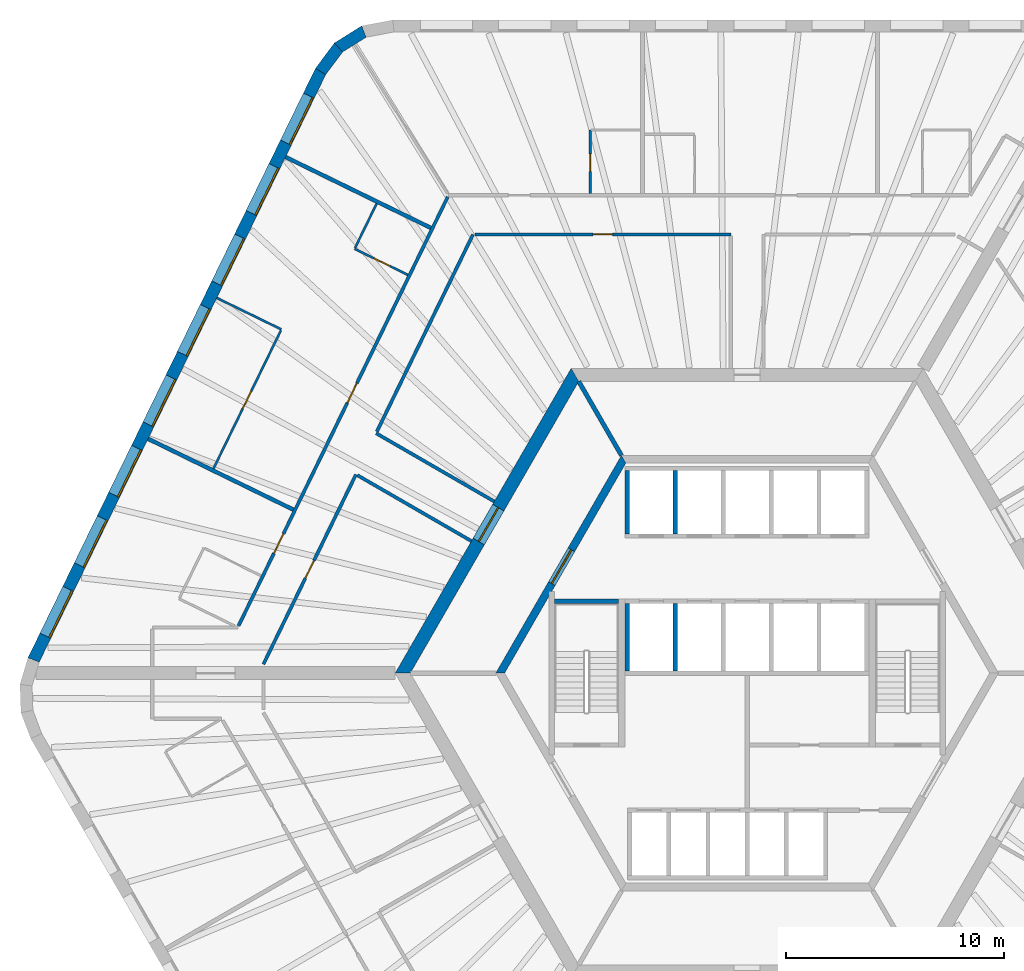
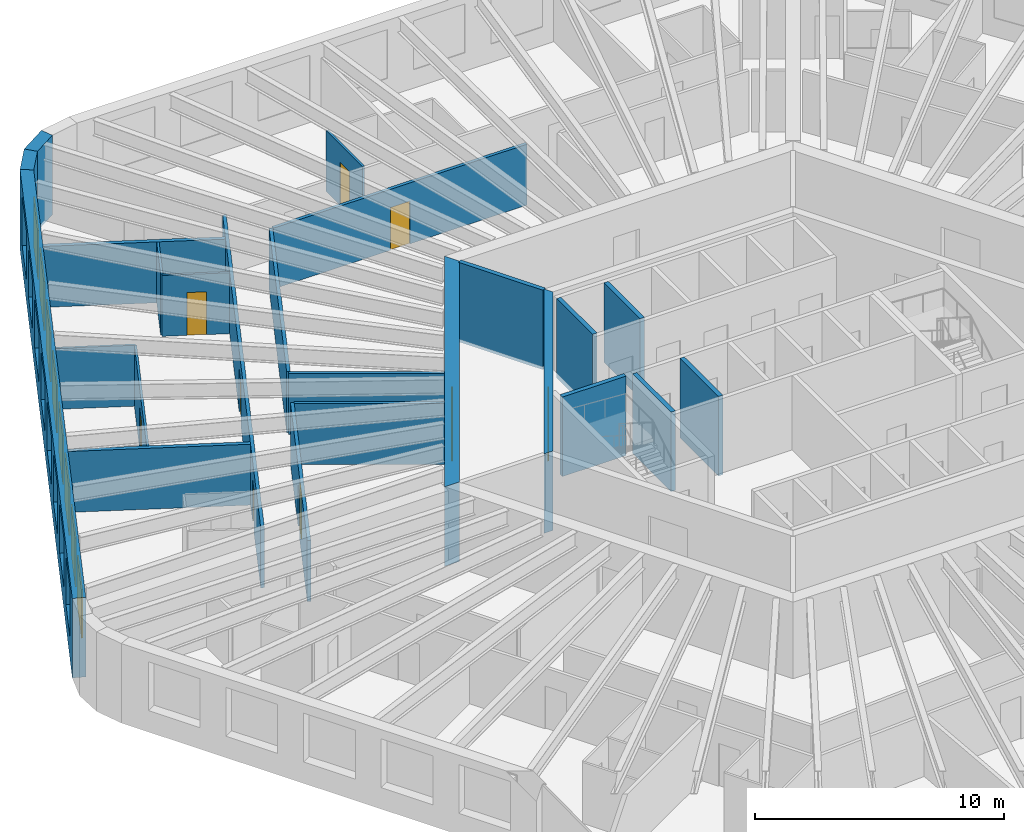
# One storey, part 7 of 11: 24 walls, 9 doors, 8 windows, 17 openings.
"""IFC4 building model written with IfcOpenShell, lengths in metres."""

from ifc_helpers import new_model, si_unit, direction, frame, frame_2d, origin, place, context, subcontext, project, spatial, polyline, rectangle, outline, extrude, material, layer, layer_set, type_object, element, fill, save


model = new_model("IFC4")

# Units and contexts
model_context = context("Model", 3, precision=1e-05, world=origin(), true_north=direction((0.0, 1.0)))
body_context = subcontext(model_context, "Body", "Model", "MODEL_VIEW")
ifc_project = project(units=[si_unit("LENGTHUNIT", "METRE"), si_unit("AREAUNIT", "SQUARE_METRE"), si_unit("VOLUMEUNIT", "CUBIC_METRE"), si_unit("PLANEANGLEUNIT", "RADIAN"), si_unit("MASSUNIT", "GRAM", prefix="KILO")], contexts=[model_context])

# Site, building, storey
site_placement = place(None, origin())
site = spatial("IfcSite", under=ifc_project, at=site_placement, CompositionType="ELEMENT")
building_placement = place(site_placement, origin())
building = spatial("IfcBuilding", under=site, at=building_placement, Name="Tarnside Tower", CompositionType="ELEMENT")
storey_placement = place(building_placement, frame((0.0, 0.0, 45.300048828125)))
storey = spatial("IfcBuildingStorey", under=building, at=storey_placement, Name="L08", CompositionType="ELEMENT", Elevation=45.300048828125)

# Wall, opening, door
ifc_material_1 = material(Name="Gypsum board partition on steel studs", Category="steel")
ifc_layer_1 = layer(ifc_material_1, 0.10009765625)
ifc_layer_set_1 = layer_set([ifc_layer_1], Name="Bathroom wall 100")
wall_type_1 = type_object("IfcWallType", Name="Bathroom wall 100", PredefinedType="PARTITIONING", material=ifc_layer_set_1)
wall_1_placement = place(storey_placement, frame((-7.2109375, 22.02490234375, 0.0), z_axis=(0.0, 0.0, 1.0), x_axis=(0.0, 1.0, 0.0)))
wall_1 = element("IfcWall", 1, at=wall_1_placement, inside=storey, type_object=wall_type_1, Name="Bathroom wall 01086", PredefinedType="PARTITIONING", context=body_context, shape_type="SweptSolid", body=[
    extrude(rectangle(XDim=2.925048828125, YDim=0.10009765625, at=frame_2d((1.46240234375, 0.0))), origin(), (0.0, 0.0, 1.0), 2.98779296875),
])
opening_1_placement = place(wall_1_placement, frame((1.02490234375, 0.0, 0.0)))
opening_1 = element("IfcOpeningElement", 2, at=opening_1_placement, cuts=wall_1, Name="Opening D-B1", PredefinedType="OPENING", context=body_context, shape_type="SweptSolid", body=[
    extrude(rectangle(XDim=0.800048828125, YDim=2.10009765625, at=frame_2d((0.39990234375, 1.050048828125))), frame((0.0, 0.06005859375, 0.0), z_axis=(0.0, -1.0, 0.0), x_axis=(1.0, 0.0, 0.0)), (0.0, 0.0, 1.0), 0.1201171875),
])
ifc_material_2 = material(Name="Timber door leaf", Category="wood")
door_type_1 = type_object("IfcDoorType", Name="Bathroom door 800", OperationType="NOTDEFINED", PredefinedType="DOOR", material=ifc_material_2)
door_1_placement = place(opening_1_placement, origin())
door_1 = element("IfcDoor", 3, at=door_1_placement, inside=storey, type_object=door_type_1, Name="Bathroom door 01006", OperationType="SINGLE_SWING_RIGHT", OverallHeight=2.10009765625, OverallWidth=0.800048828125, PredefinedType="DOOR", context=body_context, shape_type="SweptSolid", body=[
    extrude(rectangle(XDim=0.800048828125, YDim=2.10009765625, at=frame_2d((0.39990234375, 1.050048828125))), frame((0.0, 0.02490234375, 0.0), z_axis=(0.0, -1.0, 0.0), x_axis=(1.0, 0.0, 0.0)), (0.0, 0.0, 1.0), 0.050048828125),
])
fill(opening_1, door_1)

wall_2_placement = place(storey_placement, frame((-15.582763671875, 18.29345703125, 0.0), z_axis=(0.0, 0.0, 1.0), x_axis=(-0.898791692788, 0.43837597217, 0.0)))
wall_2 = element("IfcWall", 4, at=wall_2_placement, inside=storey, type_object=wall_type_1, Name="Bathroom wall 01091", PredefinedType="PARTITIONING", context=body_context, shape_type="SweptSolid", body=[
    extrude(rectangle(XDim=2.72509765625, YDim=0.10009765625, at=frame_2d((1.362548828125, 0.0))), origin(), (0.0, 0.0, 1.0), 2.98779296875),
])
opening_2_placement = place(wall_2_placement, frame((0.925048828125, 0.0, 0.0)))
opening_2 = element("IfcOpeningElement", 5, at=opening_2_placement, cuts=wall_2, Name="Opening D-B1", PredefinedType="OPENING", context=body_context, shape_type="SweptSolid", body=[
    extrude(rectangle(XDim=0.800048828125, YDim=2.10009765625, at=frame_2d((0.39990234375, 1.050048828125))), frame((0.0, 0.06005859375, 0.0), z_axis=(0.0, -1.0, 0.0), x_axis=(1.0, 0.0, 0.0)), (0.0, 0.0, 1.0), 0.1201171875),
])
door_2_placement = place(opening_2_placement, origin())
door_2 = element("IfcDoor", 6, at=door_2_placement, inside=storey, type_object=door_type_1, Name="Bathroom door 01009", OperationType="SINGLE_SWING_RIGHT", OverallHeight=2.10009765625, OverallWidth=0.800048828125, PredefinedType="DOOR", context=body_context, shape_type="SweptSolid", body=[
    extrude(rectangle(XDim=0.800048828125, YDim=2.10009765625, at=frame_2d((0.39990234375, 1.050048828125))), frame((0.0, 0.02490234375, 0.0), z_axis=(0.0, -1.0, 0.0), x_axis=(1.0, 0.0, 0.0)), (0.0, 0.0, 1.0), 0.050048828125),
])
fill(opening_2, door_2)

# Wall
wall_3_placement = place(storey_placement, frame((-18.010009765625, 19.532958984375, 0.0), z_axis=(0.0, 0.0, 1.0), x_axis=(0.438376807268, 0.898791285477, 0.0)))
element("IfcWall", 7, at=wall_3_placement, inside=storey, type_object=wall_type_1, Name="Bathroom wall 01092", PredefinedType="PARTITIONING", context=body_context, shape_type="SweptSolid", body=[
    extrude(rectangle(XDim=2.260009765625, YDim=0.10009765625, at=frame_2d((1.1298828125, 0.0))), origin(), (0.0, 0.0, 1.0), 2.98779296875),
])

# Wall, opening, door
ifc_material_3 = material(Name="Concrete C50/60", Category="concrete")
ifc_layer_2 = layer(ifc_material_3, 0.35009765625)
ifc_layer_set_2 = layer_set([ifc_layer_2], Name="Core block wall 350 C50/60")
wall_type_2 = type_object("IfcWallType", Name="Core block wall 350 C50/60", PredefinedType="SHEAR", material=ifc_layer_set_2)
wall_4_placement = place(storey_placement, frame((-5.672607421875, 9.824951171875, -0.150146484375), z_axis=(0.0, 0.0, 1.0), x_axis=(-0.499995046907, -0.866028263435, 0.0)))
wall_4 = element("IfcWall", 8, at=wall_4_placement, inside=storey, type_object=wall_type_2, Name="L08 core block wall face 2", PredefinedType="SHEAR", context=body_context, shape_type="SweptSolid", body=[
    extrude(outline(polyline([(-0.10107421875, -0.175048828125), (11.44580078125, -0.175048828125), (11.24365234375, 0.175048828125), (0.10107421875, 0.175048828125), (-0.10107421875, -0.175048828125)])), origin(), (0.0, 0.0, 1.0), 3.900146484375),
])
opening_3_placement = place(wall_4_placement, frame((4.80126953125, 0.0, 0.14990234375)))
opening_3 = element("IfcOpeningElement", 9, at=opening_3_placement, cuts=wall_4, Name="Opening CD-LOB", PredefinedType="OPENING", context=body_context, shape_type="SweptSolid", body=[
    extrude(rectangle(XDim=1.800048828125, YDim=2.39990234375, at=frame_2d((0.89990234375, 1.199951171875))), frame((0.0, 0.18505859375, 0.0), z_axis=(0.0, -1.0, 0.0), x_axis=(1.0, 0.0, 0.0)), (0.0, 0.0, 1.0), 0.3701171875),
])
ifc_material_4 = material(Name="Steel fire door", Category="steel")
door_type_2 = type_object("IfcDoorType", Name="Lobby double door FD30S 1800x2400", OperationType="NOTDEFINED", PredefinedType="DOOR", material=ifc_material_4)
door_3_placement = place(opening_3_placement, origin())
door_3 = element("IfcDoor", 10, at=door_3_placement, inside=storey, type_object=door_type_2, Name="L08 lobby block door P1", OperationType="DOUBLE_DOOR_SINGLE_SWING", OverallHeight=2.39990234375, OverallWidth=1.800048828125, PredefinedType="DOOR", context=body_context, shape_type="SweptSolid", body=[
    extrude(rectangle(XDim=1.800048828125, YDim=2.39990234375, at=frame_2d((0.89990234375, 1.199951171875))), frame((0.0, 0.02490234375, 0.0), z_axis=(0.0, -1.0, 0.0), x_axis=(1.0, 0.0, 0.0)), (0.0, 0.0, 1.0), 0.050048828125),
])
fill(opening_3, door_3)

ifc_material_5 = material(Name="Concrete C80/95", Category="concrete")
ifc_layer_3 = layer(ifc_material_5, 0.60009765625)
ifc_layer_set_3 = layer_set([ifc_layer_3], Name="Core wall Z1 600 C80/95")
wall_type_3 = type_object("IfcWallType", Name="Core wall Z1 600 C80/95", PredefinedType="SHEAR", material=ifc_layer_set_3)
wall_5_placement = place(storey_placement, frame((-7.90966796875, 13.699951171875, -0.150146484375), z_axis=(0.0, 0.0, 1.0), x_axis=(-0.499999880136, -0.866025472988, 0.0)))
wall_5 = element("IfcWall", 11, at=wall_5_placement, inside=storey, type_object=wall_type_3, Name="L08 core wall face 2", PredefinedType="SHEAR", context=body_context, shape_type="SweptSolid", body=[
    extrude(outline(polyline([(-0.17333984375, -0.300048828125), (15.99267578125, -0.300048828125), (15.64599609375, 0.300048828125), (0.17333984375, 0.300048828125), (-0.17333984375, -0.300048828125)])), origin(), (0.0, 0.0, 1.0), 3.900146484375),
])
opening_4_placement = place(wall_5_placement, frame((7.03857421875, 0.0, 0.14990234375)))
opening_4 = element("IfcOpeningElement", 12, at=opening_4_placement, cuts=wall_5, Name="Opening CD-LOB", PredefinedType="OPENING", context=body_context, shape_type="SweptSolid", body=[
    extrude(rectangle(XDim=1.800048828125, YDim=2.39990234375, at=frame_2d((0.89990234375, 1.199951171875))), frame((0.0, 0.31005859375, 0.0), z_axis=(0.0, -1.0, 0.0), x_axis=(1.0, 0.0, 0.0)), (0.0, 0.0, 1.0), 0.6201171875),
])
door_4_placement = place(opening_4_placement, origin())
door_4 = element("IfcDoor", 13, at=door_4_placement, inside=storey, type_object=door_type_2, Name="L08 core door P1", OperationType="DOUBLE_DOOR_SINGLE_SWING", OverallHeight=2.39990234375, OverallWidth=1.800048828125, PredefinedType="DOOR", context=body_context, shape_type="SweptSolid", body=[
    extrude(rectangle(XDim=1.800048828125, YDim=2.39990234375, at=frame_2d((0.89990234375, 1.199951171875))), frame((0.0, 0.02490234375, 0.0), z_axis=(0.0, -1.0, 0.0), x_axis=(1.0, 0.0, 0.0)), (0.0, 0.0, 1.0), 0.050048828125),
])
fill(opening_4, door_4)

# Wall, openings, doors
ifc_layer_4 = layer(ifc_material_1, 0.14990234375)
ifc_layer_set_4 = layer_set([ifc_layer_4], Name="Corridor wall 150 EI 60")
wall_type_4 = type_object("IfcWallType", Name="Corridor wall 150 EI 60", PredefinedType="PARTITIONING", material=ifc_layer_set_4)
wall_6_placement = place(storey_placement, frame((-13.75244140625, 21.875, 0.0), z_axis=(0.0, 0.0, 1.0), x_axis=(-0.438374473378, -0.898792423806, 0.0)))
wall_6 = element("IfcWall", 14, at=wall_6_placement, inside=storey, type_object=wall_type_4, Name="Corridor wall 01009", PredefinedType="PARTITIONING", context=body_context, shape_type="SweptSolid", body=[
    extrude(rectangle(XDim=21.918212890625, YDim=0.14990234375, at=frame_2d((10.958984375, 0.0))), origin(), (0.0, 0.0, 1.0), 2.98779296875),
])
opening_5_placement = place(wall_6_placement, frame((9.521240234375, 0.0, 0.0)))
opening_5 = element("IfcOpeningElement", 15, at=opening_5_placement, cuts=wall_6, Name="Opening D-E1", PredefinedType="OPENING", context=body_context, shape_type="SweptSolid", body=[
    extrude(rectangle(XDim=1.0, YDim=2.10009765625, at=frame_2d((0.5, 1.050048828125))), frame((0.0, 0.0849609375, 0.0), z_axis=(0.0, -1.0, 0.0), x_axis=(1.0, 0.0, 0.0)), (0.0, 0.0, 1.0), 0.169921875),
])
opening_6_placement = place(wall_6_placement, frame((17.21142578125, 0.0, 0.0)))
opening_6 = element("IfcOpeningElement", 16, at=opening_6_placement, cuts=wall_6, Name="Opening D-E1", PredefinedType="OPENING", context=body_context, shape_type="SweptSolid", body=[
    extrude(rectangle(XDim=1.0, YDim=2.10009765625, at=frame_2d((0.5, 1.050048828125))), frame((0.0, 0.0849609375, 0.0), z_axis=(0.0, -1.0, 0.0), x_axis=(1.0, 0.0, 0.0)), (0.0, 0.0, 1.0), 0.169921875),
])
door_type_3 = type_object("IfcDoorType", Name="Unit entrance door 1000 FD30S", OperationType="NOTDEFINED", PredefinedType="DOOR", material=ifc_material_2)
door_5_placement = place(opening_5_placement, origin())
door_5 = element("IfcDoor", 17, at=door_5_placement, inside=storey, type_object=door_type_3, Name="Unit door 01008", OperationType="SINGLE_SWING_LEFT", OverallHeight=2.10009765625, OverallWidth=1.0, PredefinedType="DOOR", context=body_context, shape_type="SweptSolid", body=[
    extrude(rectangle(XDim=1.0, YDim=2.10009765625, at=frame_2d((0.5, 1.050048828125))), frame((0.0, 0.02490234375, 0.0), z_axis=(0.0, -1.0, 0.0), x_axis=(1.0, 0.0, 0.0)), (0.0, 0.0, 1.0), 0.050048828125),
])
fill(opening_5, door_5)
door_6_placement = place(opening_6_placement, origin())
door_6 = element("IfcDoor", 18, at=door_6_placement, inside=storey, type_object=door_type_3, Name="Unit door 01011", OperationType="SINGLE_SWING_LEFT", OverallHeight=2.10009765625, OverallWidth=1.0, PredefinedType="DOOR", context=body_context, shape_type="SweptSolid", body=[
    extrude(rectangle(XDim=1.0, YDim=2.10009765625, at=frame_2d((0.5, 1.050048828125))), frame((0.0, 0.02490234375, 0.0), z_axis=(0.0, -1.0, 0.0), x_axis=(1.0, 0.0, 0.0)), (0.0, 0.0, 1.0), 0.050048828125),
])
fill(opening_6, door_6)

# Walls
wall_7_placement = place(storey_placement, frame((-11.61376953125, 7.88427734375, 0.0), z_axis=(0.0, 0.0, 1.0), x_axis=(-0.866025438137, 0.4999999405, 0.0)))
element("IfcWall", 19, at=wall_7_placement, inside=storey, type_object=wall_type_4, Name="Corridor wall 01016", PredefinedType="PARTITIONING", context=body_context, shape_type="SweptSolid", body=[
    extrude(rectangle(XDim=6.2705078125, YDim=0.14990234375, at=frame_2d((3.13525390625, 0.0))), origin(), (0.0, 0.0, 1.0), 2.98779296875),
])
wall_8_placement = place(storey_placement, frame((-17.01123046875, 11.087158203125, 0.0), z_axis=(0.0, 0.0, 1.0), x_axis=(0.43836877185, 0.898795204631, 0.0)))
element("IfcWall", 20, at=wall_8_placement, inside=storey, type_object=wall_type_4, Name="Corridor wall 01017", PredefinedType="PARTITIONING", context=body_context, shape_type="SweptSolid", body=[
    extrude(rectangle(XDim=10.083251953125, YDim=0.14990234375, at=frame_2d((5.04150390625, 0.0))), origin(), (0.0, 0.0, 1.0), 2.98779296875),
])

# Wall, opening, door
wall_9_placement = place(storey_placement, frame((-12.507568359375, 20.14990234375, 0.0), z_axis=(0.0, 0.0, 1.0), x_axis=(1.0, 0.0, 0.0)))
wall_9 = element("IfcWall", 21, at=wall_9_placement, inside=storey, type_object=wall_type_4, Name="Corridor wall 01018", PredefinedType="PARTITIONING", context=body_context, shape_type="SweptSolid", body=[
    extrude(rectangle(XDim=11.757568359375, YDim=0.14990234375, at=frame_2d((5.87890625, 0.0))), origin(), (0.0, 0.0, 1.0), 2.98779296875),
])
opening_7_placement = place(wall_9_placement, frame((5.428955078125, 0.0, 0.0)))
opening_7 = element("IfcOpeningElement", 22, at=opening_7_placement, cuts=wall_9, Name="Opening D-S1", PredefinedType="OPENING", context=body_context, shape_type="SweptSolid", body=[
    extrude(rectangle(XDim=0.89990234375, YDim=2.10009765625, at=frame_2d((0.449951171875, 1.050048828125))), frame((0.0, 0.0849609375, 0.0), z_axis=(0.0, -1.0, 0.0), x_axis=(1.0, 0.0, 0.0)), (0.0, 0.0, 1.0), 0.169921875),
])
door_type_4 = type_object("IfcDoorType", Name="Service room door 900 FD30S", OperationType="NOTDEFINED", PredefinedType="DOOR", material=ifc_material_2)
door_7_placement = place(opening_7_placement, origin())
door_7 = element("IfcDoor", 23, at=door_7_placement, inside=storey, type_object=door_type_4, Name="Service door 01042", OperationType="SINGLE_SWING_RIGHT", OverallHeight=2.10009765625, OverallWidth=0.89990234375, PredefinedType="DOOR", context=body_context, shape_type="SweptSolid", body=[
    extrude(rectangle(XDim=0.89990234375, YDim=2.10009765625, at=frame_2d((0.449951171875, 1.050048828125))), frame((0.0, 0.02490234375, 0.0), z_axis=(0.0, -1.0, 0.0), x_axis=(1.0, 0.0, 0.0)), (0.0, 0.0, 1.0), 0.050048828125),
])
fill(opening_7, door_7)

wall_10_placement = place(storey_placement, frame((-22.218994140625, 0.41015625, 0.0), z_axis=(0.0, 0.0, 1.0), x_axis=(0.438391891827, 0.898783927972, 0.0)))
wall_10 = element("IfcWall", 24, at=wall_10_placement, inside=storey, type_object=wall_type_4, Name="Corridor wall 01023", PredefinedType="PARTITIONING", context=body_context, shape_type="SweptSolid", body=[
    extrude(rectangle(XDim=9.698974609375, YDim=0.14990234375, at=frame_2d((4.849609375, 0.0))), origin(), (0.0, 0.0, 1.0), 2.98779296875),
])
opening_8_placement = place(wall_10_placement, frame((4.399658203125, 0.0, 0.0)))
opening_8 = element("IfcOpeningElement", 25, at=opening_8_placement, cuts=wall_10, Name="Opening D-S1", PredefinedType="OPENING", context=body_context, shape_type="SweptSolid", body=[
    extrude(rectangle(XDim=0.89990234375, YDim=2.10009765625, at=frame_2d((0.449951171875, 1.050048828125))), frame((0.0, 0.0849609375, 0.0), z_axis=(0.0, -1.0, 0.0), x_axis=(1.0, 0.0, 0.0)), (0.0, 0.0, 1.0), 0.169921875),
])
door_8_placement = place(opening_8_placement, origin())
door_8 = element("IfcDoor", 26, at=door_8_placement, inside=storey, type_object=door_type_4, Name="Service door 01044", OperationType="SINGLE_SWING_LEFT", OverallHeight=2.10009765625, OverallWidth=0.89990234375, PredefinedType="DOOR", context=body_context, shape_type="SweptSolid", body=[
    extrude(rectangle(XDim=0.89990234375, YDim=2.10009765625, at=frame_2d((0.449951171875, 1.050048828125))), frame((0.0, 0.02490234375, 0.0), z_axis=(0.0, -1.0, 0.0), x_axis=(1.0, 0.0, 0.0)), (0.0, 0.0, 1.0), 0.050048828125),
])
fill(opening_8, door_8)

# Walls
wall_11_placement = place(storey_placement, frame((-17.902099609375, 9.08984375, 0.0), z_axis=(0.0, 0.0, 1.0), x_axis=(0.866036368755, -0.499981007633, 0.0)))
element("IfcWall", 27, at=wall_11_placement, inside=storey, type_object=wall_type_4, Name="Corridor wall 01024", PredefinedType="PARTITIONING", context=body_context, shape_type="SweptSolid", body=[
    extrude(rectangle(XDim=6.048583984375, YDim=0.14990234375, at=frame_2d((3.0244140625, 0.0))), origin(), (0.0, 0.0, 1.0), 2.98779296875),
])
ifc_layer_5 = layer(ifc_material_1, 0.179931640625)
ifc_layer_set_5 = layer_set([ifc_layer_5], Name="Demising wall 180 EI 60")
wall_type_5 = type_object("IfcWallType", Name="Demising wall 180 EI 60", PredefinedType="PARTITIONING", material=ifc_layer_set_5)
wall_12_placement = place(storey_placement, frame((-21.2041015625, 23.70556640625, 0.0), z_axis=(0.0, 0.0, 1.0), x_axis=(0.898796252669, -0.438366623032, 0.0)))
element("IfcWall", 28, at=wall_12_placement, inside=storey, type_object=wall_type_5, Name="Demising wall 01089", PredefinedType="PARTITIONING", context=body_context, shape_type="SweptSolid", body=[
    extrude(rectangle(XDim=7.425048828125, YDim=0.179931640625, at=frame_2d((3.71240234375, 0.0))), origin(), (0.0, 0.0, 1.0), 2.98779296875),
])
wall_13_placement = place(storey_placement, frame((-27.5166015625, 10.762939453125, 0.0), z_axis=(0.0, 0.0, 1.0), x_axis=(0.898789933843, -0.438379578473, 0.0)))
element("IfcWall", 29, at=wall_13_placement, inside=storey, type_object=wall_type_5, Name="Demising wall 01095", PredefinedType="PARTITIONING", context=body_context, shape_type="SweptSolid", body=[
    extrude(rectangle(XDim=7.4248046875, YDim=0.179931640625, at=frame_2d((3.71240234375, 0.0))), origin(), (0.0, 0.0, 1.0), 2.98779296875),
])
ifc_material_6 = material(Name="Concrete C40/50", Category="concrete")
ifc_layer_6 = layer(ifc_material_6, 0.199951171875)
ifc_layer_set_6 = layer_set([ifc_layer_6], Name="Lift shaft wall 200 C40/50")
wall_type_6 = type_object("IfcWallType", Name="Lift shaft wall 200 C40/50", PredefinedType="SHEAR", material=ifc_layer_set_6)
for number, where, z_axis, x_axis, name in (
    (30, (-5.5, 6.39990234375, -0.25), (0.0, 0.0, 1.0), (0.0, 1.0, 0.0), "L08 lift shaft partition R11"),
    (31, (-3.300048828125, 6.39990234375, -0.25), (0.0, 0.0, 1.0), (0.0, 1.0, 0.0), "L08 lift shaft partition R12"),
):
    element("IfcWall", number, at=place(storey_placement, frame(where, z_axis=z_axis, x_axis=x_axis)), inside=storey, type_object=wall_type_6, Name=name, PredefinedType="SHEAR", context=body_context, shape_type="SweptSolid", body=[
        extrude(rectangle(XDim=2.900146484375, YDim=0.199951171875, at=frame_2d((1.4501953125, 0.0))), origin(), (0.0, 0.0, 1.0), 3.89990234375),
    ])
for number, where, z_axis, x_axis, name in (
    (32, (-5.5, 0.10009765625, -0.25), (0.0, 0.0, 1.0), (0.0, 1.0, 0.0), "L08 lift shaft partition R21"),
    (33, (-3.300048828125, 0.10009765625, -0.25), (0.0, 0.0, 1.0), (0.0, 1.0, 0.0), "L08 lift shaft partition R22"),
):
    element("IfcWall", number, at=place(storey_placement, frame(where, z_axis=z_axis, x_axis=x_axis)), inside=storey, type_object=wall_type_6, Name=name, PredefinedType="SHEAR", context=body_context, shape_type="SweptSolid", body=[
        extrude(rectangle(XDim=3.099853515625, YDim=0.199951171875, at=frame_2d((1.5498046875, 0.0))), origin(), (0.0, 0.0, 1.0), 3.89990234375),
    ])
wall_14_placement = place(storey_placement, frame((-5.7734375, 10.0, -0.150146484375), z_axis=(0.0, 0.0, 1.0), x_axis=(-0.500038251005, 0.86600331843, 0.0)))
element("IfcWall", 34, at=wall_14_placement, inside=storey, type_object=wall_type_6, Name="L08 core partition AR120", PredefinedType="SHEAR", context=body_context, shape_type="SweptSolid", body=[
    extrude(rectangle(XDim=3.926025390625, YDim=0.199951171875, at=frame_2d((1.962890625, 0.0))), origin(), (0.0, 0.0, 1.0), 3.900146484375),
])
wall_15_placement = place(storey_placement, frame((-8.85009765625, 3.300048828125, -0.25), z_axis=(0.0, 0.0, 1.0), x_axis=(1.0, 0.0, 0.0)))
element("IfcWall", 35, at=wall_15_placement, inside=storey, type_object=wall_type_6, Name="L08 stair 2 enclosure cap wall n", PredefinedType="SHEAR", context=body_context, shape_type="SweptSolid", body=[
    extrude(rectangle(XDim=2.9501953125, YDim=0.199951171875, at=frame_2d((1.47509765625, 0.0))), origin(), (0.0, 0.0, 1.0), 3.89990234375),
])
ifc_layer_7 = layer(ifc_material_1, 0.10009765625)
ifc_layer_set_7 = layer_set([ifc_layer_7], Name="Partition 100")
wall_type_7 = type_object("IfcWallType", Name="Partition 100", PredefinedType="PARTITIONING", material=ifc_layer_set_7)
wall_16_placement = place(storey_placement, frame((-24.3603515625, 17.234130859375, 0.0), z_axis=(0.0, 0.0, 1.0), x_axis=(0.898793331681, -0.43837261197, 0.0)))
element("IfcWall", 36, at=wall_16_placement, inside=storey, type_object=wall_type_7, Name="Partition wall 01093", PredefinedType="PARTITIONING", context=body_context, shape_type="SweptSolid", body=[
    extrude(rectangle(XDim=3.2998046875, YDim=0.10009765625, at=frame_2d((1.64990234375, 0.0))), origin(), (0.0, 0.0, 1.0), 2.98779296875),
])

# Wall, opening, door
wall_17_placement = place(storey_placement, frame((-21.416259765625, 15.74267578125, 0.0), z_axis=(0.0, 0.0, 1.0), x_axis=(-0.438380708798, -0.898789382533, 0.0)))
wall_17 = element("IfcWall", 37, at=wall_17_placement, inside=storey, type_object=wall_type_7, Name="Partition wall 01094", PredefinedType="PARTITIONING", context=body_context, shape_type="SweptSolid", body=[
    extrude(rectangle(XDim=7.06005859375, YDim=0.10009765625, at=frame_2d((3.530029296875, 0.0))), origin(), (0.0, 0.0, 1.0), 2.98779296875),
])
opening_9_placement = place(wall_17_placement, frame((3.10009765625, 0.0, 0.0)))
opening_9 = element("IfcOpeningElement", 38, at=opening_9_placement, cuts=wall_17, Name="Opening D-I1", PredefinedType="OPENING", context=body_context, shape_type="SweptSolid", body=[
    extrude(rectangle(XDim=0.89990234375, YDim=2.10009765625, at=frame_2d((0.449951171875, 1.050048828125))), frame((0.0, 0.06005859375, 0.0), z_axis=(0.0, -1.0, 0.0), x_axis=(1.0, 0.0, 0.0)), (0.0, 0.0, 1.0), 0.1201171875),
])
door_type_5 = type_object("IfcDoorType", Name="Internal door 900", OperationType="NOTDEFINED", PredefinedType="DOOR", material=ifc_material_2)
door_9_placement = place(opening_9_placement, origin())
door_9 = element("IfcDoor", 39, at=door_9_placement, inside=storey, type_object=door_type_5, Name="Internal door 01010", OperationType="SINGLE_SWING_LEFT", OverallHeight=2.10009765625, OverallWidth=0.89990234375, PredefinedType="DOOR", context=body_context, shape_type="SweptSolid", body=[
    extrude(rectangle(XDim=0.89990234375, YDim=2.10009765625, at=frame_2d((0.449951171875, 1.050048828125))), frame((0.0, 0.02490234375, 0.0), z_axis=(0.0, -1.0, 0.0), x_axis=(1.0, 0.0, 0.0)), (0.0, 0.0, 1.0), 0.050048828125),
])
fill(opening_9, door_9)

# Walls
ifc_material_7 = material(Name="Facing brick", Category="masonry")
ifc_layer_8 = layer(ifc_material_7, 0.10205078125)
ifc_material_8 = material(Name="Concrete C60/75 precast", Category="concrete")
ifc_layer_9 = layer(ifc_material_8, 0.347900390625)
ifc_material_9 = material(Name="Mineral wool insulation")
ifc_layer_10 = layer(ifc_material_9, 0.10009765625)
ifc_layer_set_8 = layer_set([ifc_layer_8, ifc_layer_9, ifc_layer_10], Name="Tube wall 550 brick faced")
wall_type_8 = type_object("IfcWallType", Name="Tube wall 550 brick faced", PredefinedType="SOLIDWALL", material=ifc_layer_set_8)
wall_18_placement = place(storey_placement, frame((-17.601806640625, 29.4697265625, -0.150146484375), z_axis=(0.0, 0.0, 1.0), x_axis=(-0.848057977594, -0.5299034503, 0.0)))
element("IfcWall", 40, at=wall_18_placement, inside=storey, type_object=wall_type_8, Name="Tube wall L08 F1 chord 02", PredefinedType="SOLIDWALL", context=body_context, shape_type="SweptSolid", body=[
    extrude(outline(polyline([(-0.0517578125, -0.27490234375), (1.4306640625, -0.27490234375), (1.3271484375, 0.27490234375), (0.0517578125, 0.27490234375), (-0.0517578125, -0.27490234375)])), origin(), (0.0, 0.0, 1.0), 3.900146484375),
])
wall_19_placement = place(storey_placement, frame((-18.771240234375, 28.739013671875, -0.150146484375), z_axis=(0.0, 0.0, 1.0), x_axis=(-0.597135295884, -0.802140535324, 0.0)))
element("IfcWall", 41, at=wall_19_placement, inside=storey, type_object=wall_type_8, Name="Tube wall L08 F1 chord 03", PredefinedType="SOLIDWALL", context=body_context, shape_type="SweptSolid", body=[
    extrude(outline(polyline([(-0.0517578125, -0.27490234375), (1.40478515625, -0.27490234375), (1.353515625, 0.27490234375), (0.0517578125, 0.27490234375), (-0.0517578125, -0.27490234375)])), origin(), (0.0, 0.0, 1.0), 3.900146484375),
])

# Wall, openings, windows
wall_20_placement = place(storey_placement, frame((-19.5947265625, 27.6328125, -0.150146484375), z_axis=(0.0, 0.0, 1.0), x_axis=(-0.438368285794, -0.898795441694, 0.0)))
wall_20 = element("IfcWall", 42, at=wall_20_placement, inside=storey, type_object=wall_type_8, Name="Tube wall L08 F2 flush 04", PredefinedType="SOLIDWALL", context=body_context, shape_type="SweptSolid", body=[
    extrude(outline(polyline([(-0.025634765625, -0.27490234375), (30.09326171875, -0.27490234375), (30.04833984375, 0.27490234375), (0.025634765625, 0.27490234375), (-0.025634765625, -0.27490234375)])), origin(), (0.0, 0.0, 1.0), 3.900146484375),
])
opening_10_placement = place(wall_20_placement, frame((1.235595703125, 0.0, 1.050048828125)))
opening_10 = element("IfcOpeningElement", 43, at=opening_10_placement, cuts=wall_20, Name="Opening WH", PredefinedType="OPENING", context=body_context, shape_type="SweptSolid", body=[
    extrude(rectangle(XDim=2.39990234375, YDim=2.39990234375, at=frame_2d((1.199951171875, 1.199951171875))), frame((0.0, 0.28515625, 0.0), z_axis=(0.0, -1.0, 0.0), x_axis=(1.0, 0.0, 0.0)), (0.0, 0.0, 1.0), 0.570068359375),
])
opening_11_placement = place(wall_20_placement, frame((4.83544921875, 0.0, 1.050048828125)))
opening_11 = element("IfcOpeningElement", 44, at=opening_11_placement, cuts=wall_20, Name="Opening WH", PredefinedType="OPENING", context=body_context, shape_type="SweptSolid", body=[
    extrude(rectangle(XDim=2.39990234375, YDim=2.39990234375, at=frame_2d((1.199951171875, 1.199951171875))), frame((0.0, 0.28515625, 0.0), z_axis=(0.0, -1.0, 0.0), x_axis=(1.0, 0.0, 0.0)), (0.0, 0.0, 1.0), 0.570068359375),
])
opening_12_placement = place(wall_20_placement, frame((8.435546875, 0.0, 1.050048828125)))
opening_12 = element("IfcOpeningElement", 45, at=opening_12_placement, cuts=wall_20, Name="Opening WH", PredefinedType="OPENING", context=body_context, shape_type="SweptSolid", body=[
    extrude(rectangle(XDim=2.39990234375, YDim=2.39990234375, at=frame_2d((1.199951171875, 1.199951171875))), frame((0.0, 0.28515625, 0.0), z_axis=(0.0, -1.0, 0.0), x_axis=(1.0, 0.0, 0.0)), (0.0, 0.0, 1.0), 0.570068359375),
])
opening_13_placement = place(wall_20_placement, frame((12.035400390625, 0.0, 1.050048828125)))
opening_13 = element("IfcOpeningElement", 46, at=opening_13_placement, cuts=wall_20, Name="Opening WH", PredefinedType="OPENING", context=body_context, shape_type="SweptSolid", body=[
    extrude(rectangle(XDim=2.39990234375, YDim=2.39990234375, at=frame_2d((1.199951171875, 1.199951171875))), frame((0.0, 0.28515625, 0.0), z_axis=(0.0, -1.0, 0.0), x_axis=(1.0, 0.0, 0.0)), (0.0, 0.0, 1.0), 0.570068359375),
])
opening_14_placement = place(wall_20_placement, frame((15.635498046875, 0.0, 1.050048828125)))
opening_14 = element("IfcOpeningElement", 47, at=opening_14_placement, cuts=wall_20, Name="Opening WH", PredefinedType="OPENING", context=body_context, shape_type="SweptSolid", body=[
    extrude(rectangle(XDim=2.39990234375, YDim=2.39990234375, at=frame_2d((1.199951171875, 1.199951171875))), frame((0.0, 0.28515625, 0.0), z_axis=(0.0, -1.0, 0.0), x_axis=(1.0, 0.0, 0.0)), (0.0, 0.0, 1.0), 0.570068359375),
])
opening_15_placement = place(wall_20_placement, frame((19.235595703125, 0.0, 1.050048828125)))
opening_15 = element("IfcOpeningElement", 48, at=opening_15_placement, cuts=wall_20, Name="Opening WH", PredefinedType="OPENING", context=body_context, shape_type="SweptSolid", body=[
    extrude(rectangle(XDim=2.39990234375, YDim=2.39990234375, at=frame_2d((1.199951171875, 1.199951171875))), frame((0.0, 0.28515625, 0.0), z_axis=(0.0, -1.0, 0.0), x_axis=(1.0, 0.0, 0.0)), (0.0, 0.0, 1.0), 0.570068359375),
])
opening_16_placement = place(wall_20_placement, frame((22.83544921875, 0.0, 1.050048828125)))
opening_16 = element("IfcOpeningElement", 49, at=opening_16_placement, cuts=wall_20, Name="Opening WH", PredefinedType="OPENING", context=body_context, shape_type="SweptSolid", body=[
    extrude(rectangle(XDim=2.39990234375, YDim=2.39990234375, at=frame_2d((1.199951171875, 1.199951171875))), frame((0.0, 0.28515625, 0.0), z_axis=(0.0, -1.0, 0.0), x_axis=(1.0, 0.0, 0.0)), (0.0, 0.0, 1.0), 0.570068359375),
])
opening_17_placement = place(wall_20_placement, frame((26.435546875, 0.0, 1.050048828125)))
opening_17 = element("IfcOpeningElement", 50, at=opening_17_placement, cuts=wall_20, Name="Opening WH", PredefinedType="OPENING", context=body_context, shape_type="SweptSolid", body=[
    extrude(rectangle(XDim=2.39990234375, YDim=2.39990234375, at=frame_2d((1.199951171875, 1.199951171875))), frame((0.0, 0.28515625, 0.0), z_axis=(0.0, -1.0, 0.0), x_axis=(1.0, 0.0, 0.0)), (0.0, 0.0, 1.0), 0.570068359375),
])
ifc_material_10 = material(Name="Aluminium-framed double glazing", Category="aluminium")
window_type = type_object("IfcWindowType", Name="Hotel window 2400 x 2400", PartitioningType="DOUBLE_PANEL_VERTICAL", PredefinedType="WINDOW", material=ifc_material_10)
window_1_placement = place(opening_10_placement, frame((0.0, 0.205078125, 0.0)))
window_1 = element("IfcWindow", 51, at=window_1_placement, inside=storey, type_object=window_type, Name="E.WN.L08.F2.00", OverallHeight=2.39990234375, OverallWidth=2.39990234375, PartitioningType="DOUBLE_PANEL_VERTICAL", PredefinedType="WINDOW", context=body_context, shape_type="SweptSolid", body=[
    extrude(rectangle(XDim=2.39990234375, YDim=2.39990234375, at=frame_2d((1.199951171875, 1.199951171875))), frame((0.0, 0.030029296875, 0.0), z_axis=(0.0, -1.0, 0.0), x_axis=(1.0, 0.0, 0.0)), (0.0, 0.0, 1.0), 0.06005859375),
])
fill(opening_10, window_1)
window_2_placement = place(opening_11_placement, frame((0.0, 0.205078125, 0.0)))
window_2 = element("IfcWindow", 52, at=window_2_placement, inside=storey, type_object=window_type, Name="E.WN.L08.F2.01", OverallHeight=2.39990234375, OverallWidth=2.39990234375, PartitioningType="DOUBLE_PANEL_VERTICAL", PredefinedType="WINDOW", context=body_context, shape_type="SweptSolid", body=[
    extrude(rectangle(XDim=2.39990234375, YDim=2.39990234375, at=frame_2d((1.199951171875, 1.199951171875))), frame((0.0, 0.030029296875, 0.0), z_axis=(0.0, -1.0, 0.0), x_axis=(1.0, 0.0, 0.0)), (0.0, 0.0, 1.0), 0.06005859375),
])
fill(opening_11, window_2)
window_3_placement = place(opening_12_placement, frame((0.0, 0.205078125, 0.0)))
window_3 = element("IfcWindow", 53, at=window_3_placement, inside=storey, type_object=window_type, Name="E.WN.L08.F2.02", OverallHeight=2.39990234375, OverallWidth=2.39990234375, PartitioningType="DOUBLE_PANEL_VERTICAL", PredefinedType="WINDOW", context=body_context, shape_type="SweptSolid", body=[
    extrude(rectangle(XDim=2.39990234375, YDim=2.39990234375, at=frame_2d((1.199951171875, 1.199951171875))), frame((0.0, 0.030029296875, 0.0), z_axis=(0.0, -1.0, 0.0), x_axis=(1.0, 0.0, 0.0)), (0.0, 0.0, 1.0), 0.06005859375),
])
fill(opening_12, window_3)
window_4_placement = place(opening_13_placement, frame((0.0, 0.205078125, 0.0)))
window_4 = element("IfcWindow", 54, at=window_4_placement, inside=storey, type_object=window_type, Name="E.WN.L08.F2.03", OverallHeight=2.39990234375, OverallWidth=2.39990234375, PartitioningType="DOUBLE_PANEL_VERTICAL", PredefinedType="WINDOW", context=body_context, shape_type="SweptSolid", body=[
    extrude(rectangle(XDim=2.39990234375, YDim=2.39990234375, at=frame_2d((1.199951171875, 1.199951171875))), frame((0.0, 0.030029296875, 0.0), z_axis=(0.0, -1.0, 0.0), x_axis=(1.0, 0.0, 0.0)), (0.0, 0.0, 1.0), 0.06005859375),
])
fill(opening_13, window_4)
window_5_placement = place(opening_14_placement, frame((0.0, 0.205078125, 0.0)))
window_5 = element("IfcWindow", 55, at=window_5_placement, inside=storey, type_object=window_type, Name="E.WN.L08.F2.04", OverallHeight=2.39990234375, OverallWidth=2.39990234375, PartitioningType="DOUBLE_PANEL_VERTICAL", PredefinedType="WINDOW", context=body_context, shape_type="SweptSolid", body=[
    extrude(rectangle(XDim=2.39990234375, YDim=2.39990234375, at=frame_2d((1.199951171875, 1.199951171875))), frame((0.0, 0.030029296875, 0.0), z_axis=(0.0, -1.0, 0.0), x_axis=(1.0, 0.0, 0.0)), (0.0, 0.0, 1.0), 0.06005859375),
])
fill(opening_14, window_5)
window_6_placement = place(opening_15_placement, frame((0.0, 0.205078125, 0.0)))
window_6 = element("IfcWindow", 56, at=window_6_placement, inside=storey, type_object=window_type, Name="E.WN.L08.F2.05", OverallHeight=2.39990234375, OverallWidth=2.39990234375, PartitioningType="DOUBLE_PANEL_VERTICAL", PredefinedType="WINDOW", context=body_context, shape_type="SweptSolid", body=[
    extrude(rectangle(XDim=2.39990234375, YDim=2.39990234375, at=frame_2d((1.199951171875, 1.199951171875))), frame((0.0, 0.030029296875, 0.0), z_axis=(0.0, -1.0, 0.0), x_axis=(1.0, 0.0, 0.0)), (0.0, 0.0, 1.0), 0.06005859375),
])
fill(opening_15, window_6)
window_7_placement = place(opening_16_placement, frame((0.0, 0.205078125, 0.0)))
window_7 = element("IfcWindow", 57, at=window_7_placement, inside=storey, type_object=window_type, Name="E.WN.L08.F2.06", OverallHeight=2.39990234375, OverallWidth=2.39990234375, PartitioningType="DOUBLE_PANEL_VERTICAL", PredefinedType="WINDOW", context=body_context, shape_type="SweptSolid", body=[
    extrude(rectangle(XDim=2.39990234375, YDim=2.39990234375, at=frame_2d((1.199951171875, 1.199951171875))), frame((0.0, 0.030029296875, 0.0), z_axis=(0.0, -1.0, 0.0), x_axis=(1.0, 0.0, 0.0)), (0.0, 0.0, 1.0), 0.06005859375),
])
fill(opening_16, window_7)
window_8_placement = place(opening_17_placement, frame((0.0, 0.205078125, 0.0)))
window_8 = element("IfcWindow", 58, at=window_8_placement, inside=storey, type_object=window_type, Name="E.WN.L08.F2.07", OverallHeight=2.39990234375, OverallWidth=2.39990234375, PartitioningType="DOUBLE_PANEL_VERTICAL", PredefinedType="WINDOW", context=body_context, shape_type="SweptSolid", body=[
    extrude(rectangle(XDim=2.39990234375, YDim=2.39990234375, at=frame_2d((1.199951171875, 1.199951171875))), frame((0.0, 0.030029296875, 0.0), z_axis=(0.0, -1.0, 0.0), x_axis=(1.0, 0.0, 0.0)), (0.0, 0.0, 1.0), 0.06005859375),
])
fill(opening_17, window_8)

save(model, "model.ifc")
